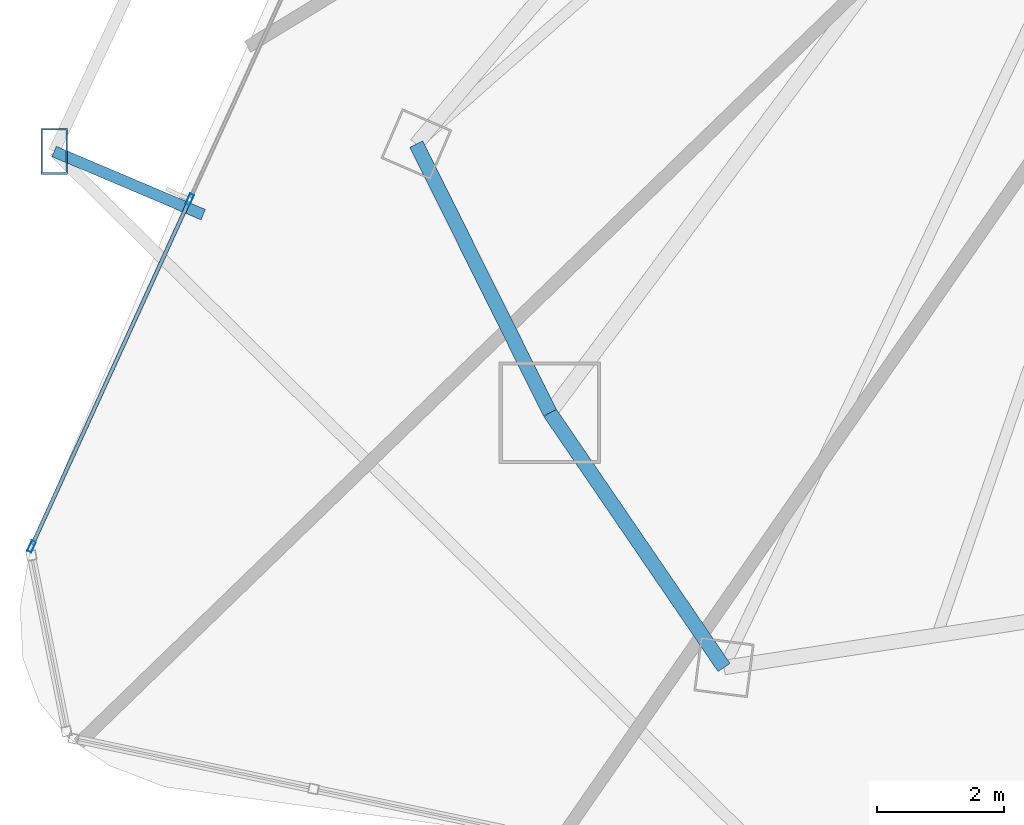
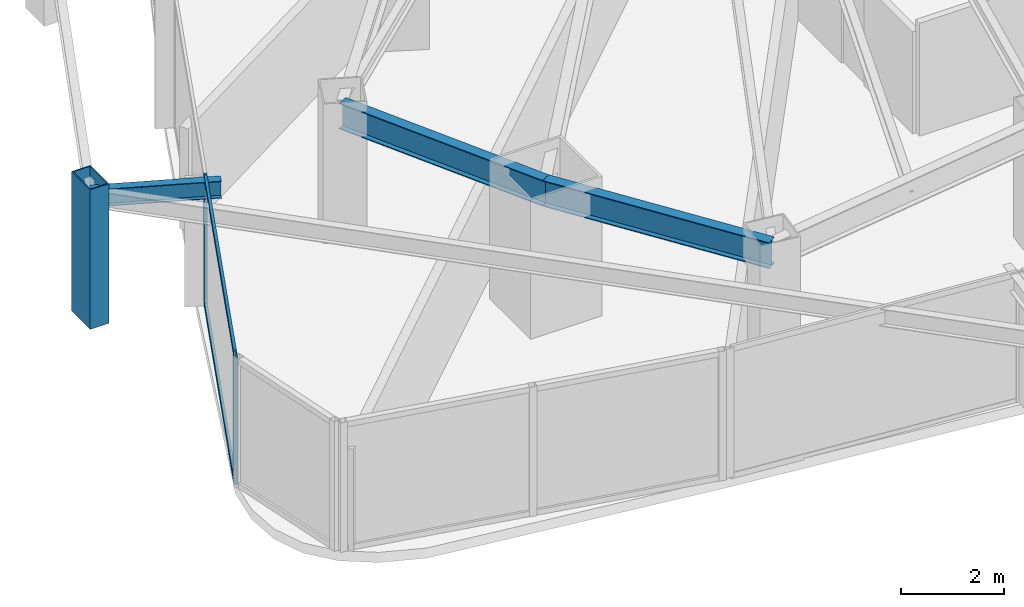
# One storey, part 5 of 33: 5 members, 3 beams, 1 element without a shape of its own.
"""IFC4 building model written with IfcOpenShell, lengths in metres."""

from ifc_helpers import new_model, si_unit, direction, frame, origin, origin_2d, place, context, subcontext, project, spatial, hollow_rectangle, i_section, extrude, material, layer, layer_set, material_profile, profile_set, type_object, element, aggregate, save


model = new_model("IFC4")

# Units and contexts
model_context = context("Model", 3, precision=1e-05, world=origin(), true_north=direction((0.0, 1.0)))
body_context = subcontext(model_context, "Body", "Model", "MODEL_VIEW")
ifc_project = project(units=[si_unit("LENGTHUNIT", "METRE"), si_unit("AREAUNIT", "SQUARE_METRE"), si_unit("VOLUMEUNIT", "CUBIC_METRE"), si_unit("PLANEANGLEUNIT", "RADIAN"), si_unit("MASSUNIT", "GRAM", prefix="KILO")], contexts=[model_context])

# Site, building, storey
site_placement = place(None, origin())
site = spatial("IfcSite", under=ifc_project, at=site_placement, CompositionType="ELEMENT")
building_placement = place(site_placement, origin())
building = spatial("IfcBuilding", under=site, at=building_placement, Name="Orvanel Arch Residences", CompositionType="ELEMENT")
storey_placement = place(building_placement, frame((0.0, 0.0, 90.64990234375)))
storey = spatial("IfcBuildingStorey", under=building, at=storey_placement, Name="L25", CompositionType="ELEMENT", Elevation=90.64990234375)

# Member
ifc_material_1 = material(Name="Structural steel AS/NZS 3678 Grade 350", Category="steel")
ifc_material_profile_1 = material_profile(ifc_material_1, hollow_rectangle(XDim=0.419921875, YDim=0.719970703125, WallThickness=0.02490234375, at=origin_2d()), Name="RHS720x420x25")
ifc_profile_set_1 = profile_set([ifc_material_profile_1], Name="Structural steel AS/NZS 3678 Grade 350")
member_type_1 = type_object("IfcMemberType", Name="CH-720RHS-EXT", PredefinedType="CHORD", material=ifc_profile_set_1)
member_1_placement = place(storey_placement, frame((6.39111328125, 14.465087890625, 0.0), z_axis=(0.0, 0.0, 1.0), x_axis=(1.0, 0.0, 0.0)))
element("IfcMember", 1, at=member_1_placement, inside=storey, type_object=member_type_1, Name="L25 Outer Perimeter Frame Post 04", PredefinedType="CHORD", context=body_context, shape_type="SweptSolid", body=[
    extrude(hollow_rectangle(XDim=0.419921875, YDim=0.719970703125, WallThickness=0.02490234375, at=origin_2d()), origin(), (0.0, 0.0, 1.0), 3.300048828125),
])

# Curtain wall, members
ifc_material_2 = material(Name="Bronze-anodised aluminium AA6063-T6", Category="aluminium")
ifc_layer = layer(ifc_material_2, 0.179931640625)
ifc_layer_set = layer_set([ifc_layer], Name="Bronze-anodised aluminium AA6063-T6")
curtain_wall_type = type_object("IfcCurtainWallType", Name="CW2-LOW-SYS", PredefinedType="NOTDEFINED", material=ifc_layer_set)
curtain_wall_placement = place(storey_placement, origin())
curtain_wall = element("IfcCurtainWall", 2, at=curtain_wall_placement, inside=storey, type_object=curtain_wall_type, Name="L25 CW2-LOW-SYS Unitised Curtain Wall", PredefinedType="NOTDEFINED")
ifc_material_profile_2 = material_profile(ifc_material_2, hollow_rectangle(XDim=0.070068359375, YDim=0.179931640625, WallThickness=0.00439453125, at=origin_2d()), Name="ALU180x70x4.5")
ifc_profile_set_2 = profile_set([ifc_material_profile_2], Name="Bronze-anodised aluminium AA6063-T6")
member_type_2 = type_object("IfcMemberType", Name="MUL-180x70", PredefinedType="MULLION", material=ifc_profile_set_2)
member_2_placement = place(storey_placement, frame((8.527587890625, 13.707275390625, 0.0), z_axis=(0.0, 0.0, 1.0), x_axis=(0.909823071027, -0.414996360739, 0.0)))
member_2 = element("IfcMember", 3, at=member_2_placement, type_object=member_type_2, Name="CW-S2 mullion 3", PredefinedType="MULLION", context=body_context, shape_type="SweptSolid", body=[
    extrude(hollow_rectangle(XDim=0.070068359375, YDim=0.179931640625, WallThickness=0.00439453125, at=origin_2d()), origin(), (0.0, 0.0, 1.0), 3.06005859375),
])
member_3_placement = place(storey_placement, frame((6.03662109375, 8.245849609375, 0.0), z_axis=(0.0, 0.0, 1.0), x_axis=(0.909823071027, -0.414996360739, 0.0)))
member_3 = element("IfcMember", 4, at=member_3_placement, type_object=member_type_2, Name="CW-S2 mullion 4", PredefinedType="MULLION", context=body_context, shape_type="SweptSolid", body=[
    extrude(hollow_rectangle(XDim=0.070068359375, YDim=0.179931640625, WallThickness=0.00439453125, at=origin_2d()), origin(), (0.0, 0.0, 1.0), 3.06005859375),
])

# Beams
ifc_material_3 = material(Name="Structural steel AS/NZS 3679.1 Grade 300 (300 MPa)", Category="steel")
ifc_material_profile_3 = material_profile(ifc_material_3, i_section(OverallWidth=0.177978515625, OverallDepth=0.406005859375, WebThickness=0.0078125, FlangeThickness=0.0126953125, at=origin_2d()), Name="410UB59.7")
ifc_profile_set_3 = profile_set([ifc_material_profile_3], Name="Structural steel AS/NZS 3679.1 Grade 300 (300 MPa)")
beam_type_1 = type_object("IfcBeamType", Name="OB-410UB-EXT", PredefinedType="SPANDREL", material=ifc_profile_set_3)
beam_1_placement = place(storey_placement, frame((8.739013671875, 13.469970703125, 2.857177734375), z_axis=(-0.920717324912, 0.390230198226, 0.0), x_axis=(-0.390230198226, -0.920717324912, 0.0)))
element("IfcBeam", 5, at=beam_1_placement, inside=storey, type_object=beam_type_1, Name="L25 Outer Frame Radial Tie Beam 04", PredefinedType="SPANDREL", context=body_context, shape_type="SweptSolid", body=[
    extrude(i_section(OverallWidth=0.177978515625, OverallDepth=0.406005859375, WebThickness=0.0078125, FlangeThickness=0.0126953125, at=origin_2d()), origin(), (0.0, 0.0, 1.0), 2.550048828125),
])
ifc_material_profile_4 = material_profile(ifc_material_3, i_section(OverallWidth=0.22900390625, OverallDepth=0.612060546875, WebThickness=0.011962890625, FlangeThickness=0.01953125, at=origin_2d()), Name="610UB125")
ifc_profile_set_4 = profile_set([ifc_material_profile_4], Name="Structural steel AS/NZS 3679.1 Grade 300 (300 MPa)")
beam_type_2 = type_object("IfcBeamType", Name="SP-610UB", PredefinedType="SPANDREL", material=ifc_profile_set_4)
beam_2_placement = place(storey_placement, frame((12.094970703125, 14.580078125, 2.754150390625), z_axis=(0.44543469453, -0.895314432425, 0.0), x_axis=(0.895314432425, 0.44543469453, 0.0)))
element("IfcBeam", 6, at=beam_2_placement, inside=storey, type_object=beam_type_2, Name="L25 Perimeter Spandrel Beam 02", PredefinedType="SPANDREL", context=body_context, shape_type="SweptSolid", body=[
    extrude(i_section(OverallWidth=0.22900390625, OverallDepth=0.612060546875, WebThickness=0.011962890625, FlangeThickness=0.01953125, at=origin_2d()), origin(), (0.0, 0.0, 1.0), 4.723388671875),
])
beam_3_placement = place(storey_placement, frame((14.198974609375, 10.35107421875, 2.754150390625), z_axis=(0.564251579852, -0.825602903722, 0.0), x_axis=(0.825602903722, 0.564251579852, 0.0)))
element("IfcBeam", 7, at=beam_3_placement, inside=storey, type_object=beam_type_2, Name="L25 Perimeter Spandrel Beam 03", PredefinedType="SPANDREL", context=body_context, shape_type="SweptSolid", body=[
    extrude(i_section(OverallWidth=0.22900390625, OverallDepth=0.612060546875, WebThickness=0.011962890625, FlangeThickness=0.01953125, at=origin_2d()), origin(), (0.0, 0.0, 1.0), 4.859375),
])

# Member
ifc_material_profile_5 = material_profile(ifc_material_2, hollow_rectangle(XDim=0.06005859375, YDim=0.135009765625, WallThickness=0.00390625, at=origin_2d()), Name="ALU135x60x4")
ifc_profile_set_5 = profile_set([ifc_material_profile_5], Name="Bronze-anodised aluminium AA6063-T6")
member_type_3 = type_object("IfcMemberType", Name="TRN-135x60", PredefinedType="USERDEFINED", material=ifc_profile_set_5)
member_4_placement = place(storey_placement, frame((8.51318359375, 13.675537109375, 0.030029296875), z_axis=(-0.414996216051, -0.909823137024, 0.0), x_axis=(0.909823137024, -0.414996216051, 0.0)))
member_4 = element("IfcMember", 8, at=member_4_placement, type_object=member_type_3, Name="CW-S2 transom 3.1", ObjectType="TRANSOM", PredefinedType="USERDEFINED", context=body_context, shape_type="SweptSolid", body=[
    extrude(hollow_rectangle(XDim=0.06005859375, YDim=0.135009765625, WallThickness=0.00390625, at=origin_2d()), origin(), (0.0, 0.0, 1.0), 5.932861328125),
])

member_5_placement = place(storey_placement, frame((8.51318359375, 13.675537109375, 3.030029296875), z_axis=(-0.414996216051, -0.909823137024, 0.0), x_axis=(0.909823137024, -0.414996216051, 0.0)))
member_5 = element("IfcMember", 9, at=member_5_placement, type_object=member_type_3, Name="CW-S2 transom 3.2", ObjectType="TRANSOM", PredefinedType="USERDEFINED", context=body_context, shape_type="SweptSolid", body=[
    extrude(hollow_rectangle(XDim=0.06005859375, YDim=0.135009765625, WallThickness=0.00390625, at=origin_2d()), origin(), (0.0, 0.0, 1.0), 5.932861328125),
])

aggregate(curtain_wall, [member_2, member_3, member_4, member_5])

save(model, "model.ifc")
